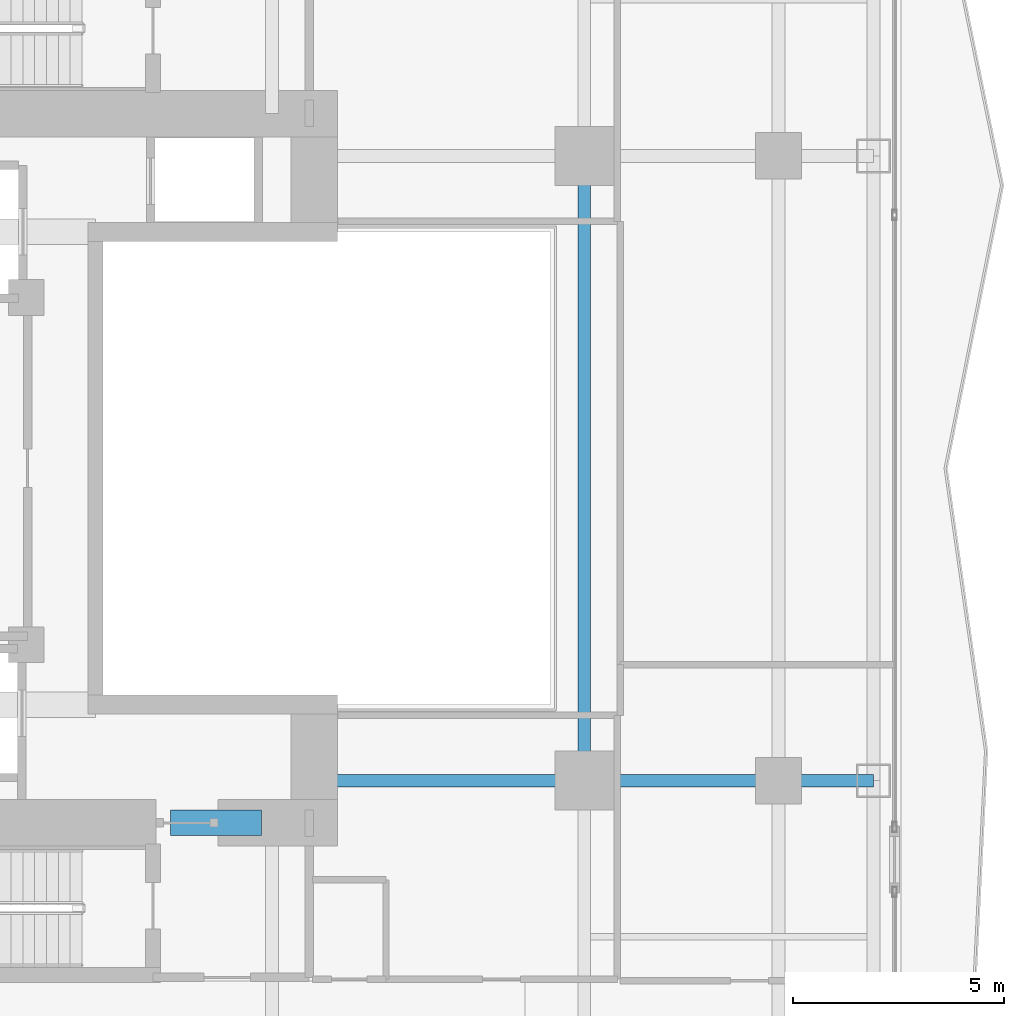
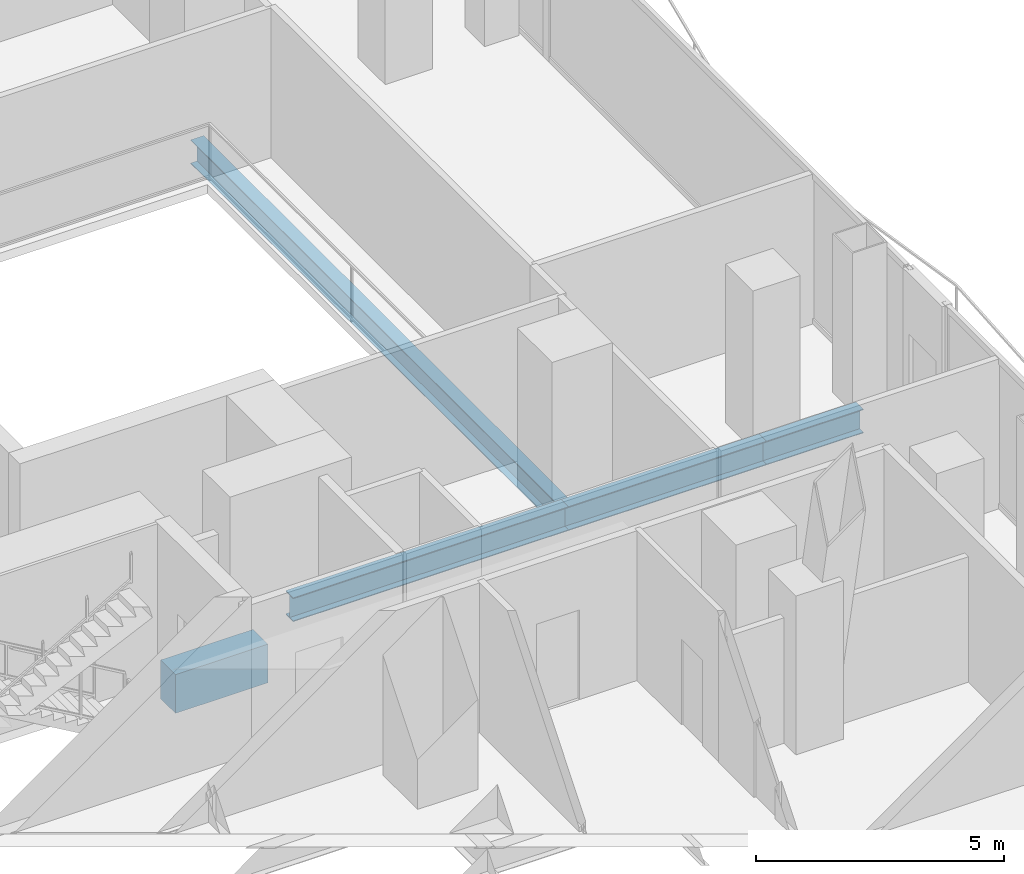
# One storey, part 11 of 33: 5 beams.
"""IFC4 building model written with IfcOpenShell, lengths in metres."""

from ifc_helpers import new_model, si_unit, direction, frame, origin, origin_2d, place, context, subcontext, project, spatial, rectangle, i_section, extrude, material, material_profile, profile_set, type_object, element, save


model = new_model("IFC4")

# Units and contexts
model_context = context("Model", 3, precision=1e-05, world=origin(), true_north=direction((0.0, 1.0)))
body_context = subcontext(model_context, "Body", "Model", "MODEL_VIEW")
ifc_project = project(units=[si_unit("LENGTHUNIT", "METRE"), si_unit("AREAUNIT", "SQUARE_METRE"), si_unit("VOLUMEUNIT", "CUBIC_METRE"), si_unit("PLANEANGLEUNIT", "RADIAN"), si_unit("MASSUNIT", "GRAM", prefix="KILO")], contexts=[model_context])

# Site, building, storey
site_placement = place(None, origin())
site = spatial("IfcSite", under=ifc_project, at=site_placement, CompositionType="ELEMENT")
building_placement = place(site_placement, origin())
building = spatial("IfcBuilding", under=site, at=building_placement, Name="Khorvyn Point Tower", CompositionType="ELEMENT")
storey_placement = place(building_placement, frame((0.0, 0.0, 65.699951171875)))
storey = spatial("IfcBuildingStorey", under=building, at=storey_placement, Name="L17", CompositionType="ELEMENT", Elevation=65.699951171875)

# Beams
ifc_material_1 = material(Name="Concrete C50/60", Category="concrete")
ifc_material_profile_1 = material_profile(ifc_material_1, rectangle(XDim=0.60009765625, YDim=0.949951171875, at=origin_2d()))
ifc_profile_set_1 = profile_set([ifc_material_profile_1], Name="Concrete C50/60 RC600x950")
beam_type_1 = type_object("IfcBeamType", Name="Concrete C50/60 Beam RC600x950", PredefinedType="BEAM", material=ifc_profile_set_1)
beam_1_placement = place(storey_placement, frame((5.0, -8.39990234375, -0.695068359375), z_axis=(1.0, 0.0, 0.0), x_axis=(0.0, 1.0, 0.0)))
element("IfcBeam", 1, at=beam_1_placement, inside=storey, type_object=beam_type_1, Name="L17 Core Southeast Portal Coupling Beam", PredefinedType="BEAM", context=body_context, shape_type="SweptSolid", body=[
    extrude(rectangle(XDim=0.60009765625, YDim=0.949951171875, at=origin_2d()), origin(), (0.0, 0.0, 1.0), 2.14990234375),
])
ifc_material_2 = material(Name="Steel S355", Category="steel")
ifc_material_profile_2 = material_profile(ifc_material_2, i_section(OverallWidth=0.300048828125, OverallDepth=0.587890625, WebThickness=0.011962890625, FlangeThickness=0.02001953125, at=origin_2d()))
ifc_profile_set_2 = profile_set([ifc_material_profile_2], Name="Steel S355 H588x300x12x20")
beam_type_2 = type_object("IfcBeamType", Name="Steel S355 Beam H588x300x12x20", PredefinedType="BEAM", material=ifc_profile_set_2)
beam_2_placement = place(storey_placement, frame((8.39990234375, -7.39990234375, -0.513916015625), z_axis=(1.0, 0.0, 0.0), x_axis=(0.0, 1.0, 0.0)))
element("IfcBeam", 2, at=beam_2_placement, inside=storey, type_object=beam_type_2, Name="Beam", PredefinedType="BEAM", context=body_context, shape_type="SweptSolid", body=[
    extrude(i_section(OverallWidth=0.300048828125, OverallDepth=0.587890625, WebThickness=0.011962890625, FlangeThickness=0.02001953125, at=origin_2d()), origin(), (0.0, 0.0, 1.0), 6.400146484375),
])
beam_3_placement = place(storey_placement, frame((14.800048828125, -7.39990234375, -0.513916015625), z_axis=(1.0, 0.0, 0.0), x_axis=(0.0, 1.0, 0.0)))
element("IfcBeam", 3, at=beam_3_placement, inside=storey, type_object=beam_type_2, Name="Beam", PredefinedType="BEAM", context=body_context, shape_type="SweptSolid", body=[
    extrude(i_section(OverallWidth=0.300048828125, OverallDepth=0.587890625, WebThickness=0.011962890625, FlangeThickness=0.02001953125, at=origin_2d()), origin(), (0.0, 0.0, 1.0), 4.599853515625),
])
beam_4_placement = place(storey_placement, frame((19.39990234375, -7.39990234375, -0.513916015625), z_axis=(1.0, 0.0, 0.0), x_axis=(0.0, 1.0, 0.0)))
element("IfcBeam", 4, at=beam_4_placement, inside=storey, type_object=beam_type_2, Name="Beam", PredefinedType="BEAM", context=body_context, shape_type="SweptSolid", body=[
    extrude(i_section(OverallWidth=0.300048828125, OverallDepth=0.587890625, WebThickness=0.011962890625, FlangeThickness=0.02001953125, at=origin_2d()), origin(), (0.0, 0.0, 1.0), 2.25),
])
beam_5_placement = place(storey_placement, frame((14.800048828125, -7.39990234375, -0.513916015625), z_axis=(0.0, 1.0, 0.0), x_axis=(-1.0, 0.0, 0.0)))
element("IfcBeam", 5, at=beam_5_placement, inside=storey, type_object=beam_type_2, Name="Beam", PredefinedType="BEAM", context=body_context, shape_type="SweptSolid", body=[
    extrude(i_section(OverallWidth=0.300048828125, OverallDepth=0.587890625, WebThickness=0.011962890625, FlangeThickness=0.02001953125, at=origin_2d()), origin(), (0.0, 0.0, 1.0), 14.7998046875),
])

save(model, "model.ifc")
